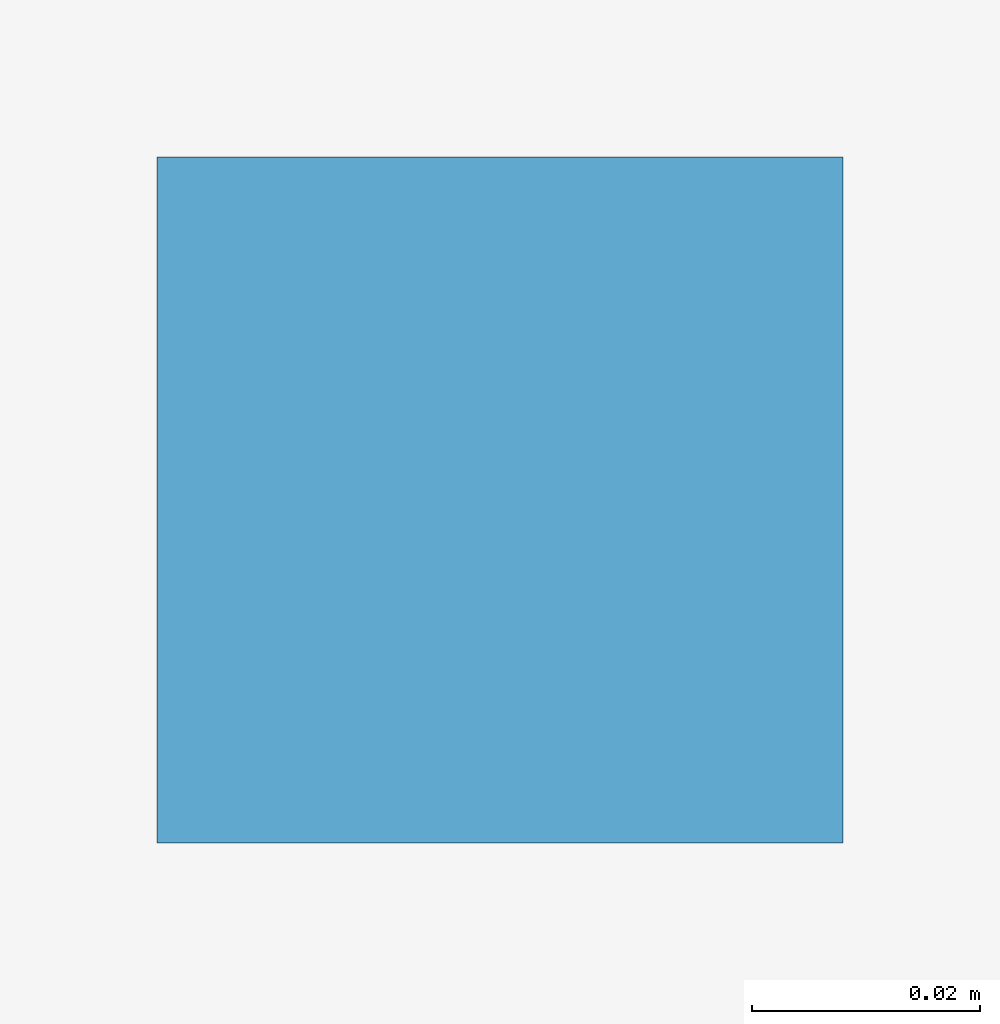
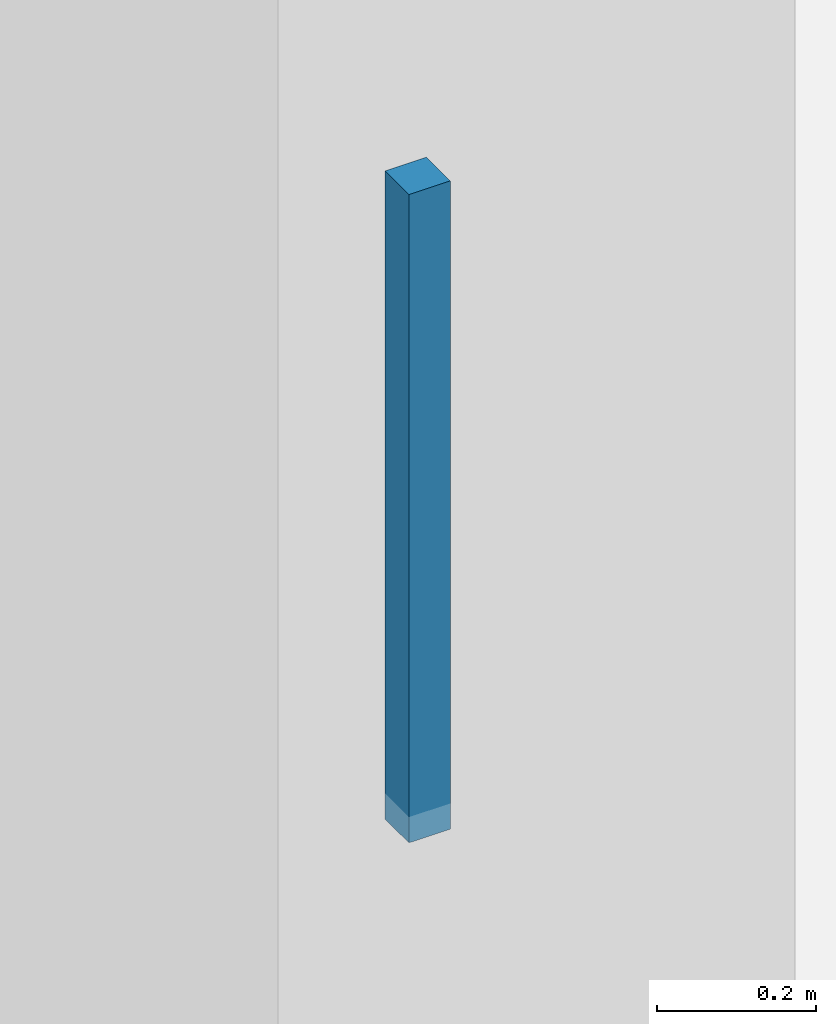
# One storey, part 73 of 140: 1 discrete accessory.
"""IFC4 building model written with IfcOpenShell, lengths in metres."""

from ifc_helpers import new_model, si_unit, direction, frame, origin, origin_2d, place, context, subcontext, project, spatial, rectangle, extrude, material, type_object, element, save


model = new_model("IFC4")

# Units and contexts
model_context = context("Model", 3, precision=1e-05, world=origin(), true_north=direction((0.0, 1.0)))
body_context = subcontext(model_context, "Body", "Model", "MODEL_VIEW")
ifc_project = project(units=[si_unit("LENGTHUNIT", "METRE"), si_unit("AREAUNIT", "SQUARE_METRE"), si_unit("VOLUMEUNIT", "CUBIC_METRE"), si_unit("PLANEANGLEUNIT", "RADIAN"), si_unit("MASSUNIT", "GRAM", prefix="KILO")], contexts=[model_context])

# Site, building, storey
site_placement = place(None, origin())
site = spatial("IfcSite", under=ifc_project, at=site_placement, CompositionType="ELEMENT")
building_placement = place(site_placement, origin())
building = spatial("IfcBuilding", under=site, at=building_placement, Name="Telukmera Botanical Conservatory", CompositionType="ELEMENT")
storey_placement = place(building_placement, origin())
storey = spatial("IfcBuildingStorey", under=building, at=storey_placement, Name="L00", CompositionType="ELEMENT", Elevation=0.0)

# Discrete accessory
ifc_material = material(Name="Steel S355", Category="steel")
discrete_accessory_type = type_object("IfcDiscreteAccessoryType", Name="ACC-CEIL-HGR", PredefinedType="BRACKET", material=ifc_material)
discrete_accessory_placement = place(storey_placement, frame((32.114013671875, 40.14990234375, 4.2099609375), z_axis=(0.0, 0.0, 1.0), x_axis=(1.0, 0.0, 0.0)))
element("IfcDiscreteAccessory", 1, at=discrete_accessory_placement, inside=storey, type_object=discrete_accessory_type, Name="L00 Suspended Ceiling Hanger Rod 014-1", PredefinedType="BRACKET", context=body_context, shape_type="SweptSolid", body=[
    extrude(rectangle(XDim=0.06005859375, YDim=0.06005859375, at=origin_2d()), origin(), (0.0, 0.0, 1.0), 0.9951171875),
])

save(model, "model.ifc")
